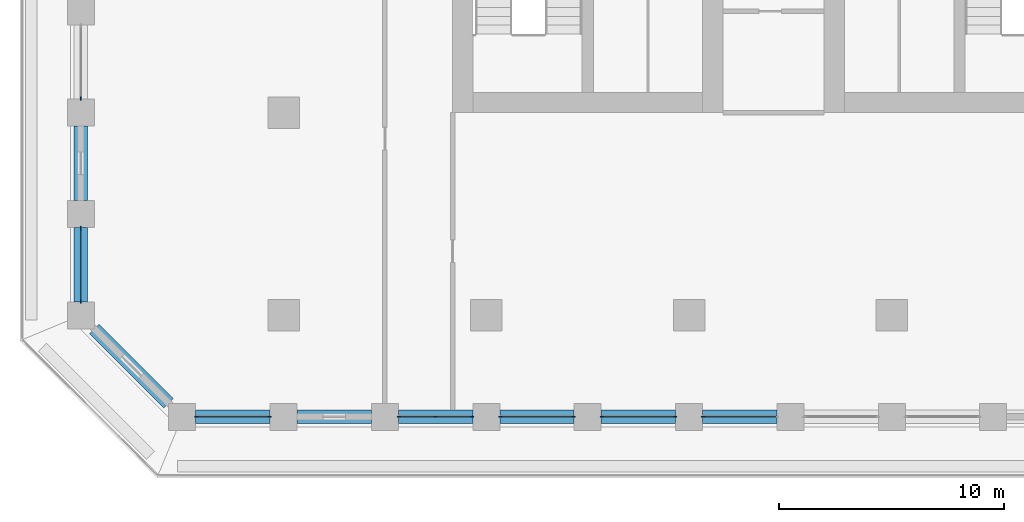
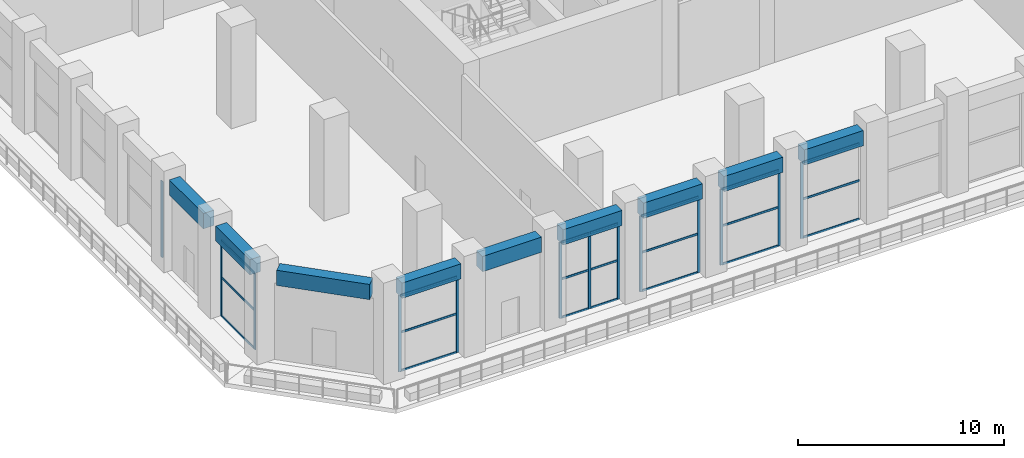
# One storey, part 2 of 24: 34 members, 9 beams, 7 elements without a shape of their own.
"""IFC4 building model written with IfcOpenShell, lengths in metres."""

from ifc_helpers import new_model, si_unit, direction, frame, origin, origin_2d, place, context, subcontext, project, spatial, rectangle, extrude, material, material_profile, profile_set, type_object, element, aggregate, save


model = new_model("IFC4")

# Units and contexts
model_context = context("Model", 3, precision=1e-05, world=origin(), true_north=direction((0.0, 1.0)))
body_context = subcontext(model_context, "Body", "Model", "MODEL_VIEW")
ifc_project = project(units=[si_unit("LENGTHUNIT", "METRE"), si_unit("AREAUNIT", "SQUARE_METRE"), si_unit("VOLUMEUNIT", "CUBIC_METRE"), si_unit("PLANEANGLEUNIT", "RADIAN"), si_unit("MASSUNIT", "GRAM", prefix="KILO")], contexts=[model_context])

# Site, building, storey
site_placement = place(None, origin())
site = spatial("IfcSite", under=ifc_project, at=site_placement, CompositionType="ELEMENT")
building_placement = place(site_placement, origin())
building = spatial("IfcBuilding", under=site, at=building_placement, Name="Corbel Stack Research Tower", CompositionType="ELEMENT")
storey_placement = place(building_placement, frame((0.0, 0.0, 145.39990234375)))
storey = spatial("IfcBuildingStorey", under=building, at=storey_placement, Name="L33", CompositionType="ELEMENT", Elevation=145.39990234375)

# Curtain wall, members
ifc_material_1 = material(Name="Aluminium frame, clear glass", Category="aluminium")
curtain_wall_type = type_object("IfcCurtainWallType", Name="Amenity floor curtain wall CW2", PredefinedType="NOTDEFINED", material=ifc_material_1)
curtain_wall_1_placement = place(storey_placement, origin())
curtain_wall_1 = element("IfcCurtainWall", 1, at=curtain_wall_1_placement, inside=storey, type_object=curtain_wall_type, Name="Curtain wall CW2 L33 S01", PredefinedType="NOTDEFINED")
ifc_material_2 = material(Name="Aluminium mullion", Category="aluminium")
ifc_material_profile_1 = material_profile(ifc_material_2, rectangle(XDim=0.06005859375, YDim=0.159912109375, at=origin_2d()), Name="Mullion 60 x 160")
ifc_profile_set_1 = profile_set([ifc_material_profile_1], Name="Aluminium mullion")
member_type_1 = type_object("IfcMemberType", Name="Curtain wall mullion 60 x 160", PredefinedType="MULLION", material=ifc_profile_set_1)
member_1_placement = place(storey_placement, frame((-21.8701171875, -22.5, 0.0), z_axis=(0.0, 0.0, 1.0), x_axis=(0.0, 1.0, 0.0)))
member_1 = element("IfcMember", 2, at=member_1_placement, type_object=member_type_1, Name="CW2 L33 S01 mullion 1", PredefinedType="MULLION", context=body_context, shape_type="SweptSolid", body=[
    extrude(rectangle(XDim=0.06005859375, YDim=0.159912109375, at=origin_2d()), origin(), (0.0, 0.0, 1.0), 4.5),
])
member_2_placement = place(storey_placement, frame((-18.6298828125, -22.5, 0.0), z_axis=(0.0, 0.0, 1.0), x_axis=(0.0, 1.0, 0.0)))
member_2 = element("IfcMember", 3, at=member_2_placement, type_object=member_type_1, Name="CW2 L33 S01 mullion 2", PredefinedType="MULLION", context=body_context, shape_type="SweptSolid", body=[
    extrude(rectangle(XDim=0.06005859375, YDim=0.159912109375, at=origin_2d()), origin(), (0.0, 0.0, 1.0), 4.5),
])

curtain_wall_2_placement = place(storey_placement, origin())
curtain_wall_2 = element("IfcCurtainWall", 4, at=curtain_wall_2_placement, inside=storey, type_object=curtain_wall_type, Name="Curtain wall CW2 L33 S03", PredefinedType="NOTDEFINED")
member_3_placement = place(storey_placement, frame((-12.8701171875, -22.5, 0.0), z_axis=(0.0, 0.0, 1.0), x_axis=(0.0, 1.0, 0.0)))
member_3 = element("IfcMember", 5, at=member_3_placement, type_object=member_type_1, Name="CW2 L33 S03 mullion 1", PredefinedType="MULLION", context=body_context, shape_type="SweptSolid", body=[
    extrude(rectangle(XDim=0.06005859375, YDim=0.159912109375, at=origin_2d()), origin(), (0.0, 0.0, 1.0), 4.5),
])
member_4_placement = place(storey_placement, frame((-11.25, -22.5, 0.0), z_axis=(0.0, 0.0, 1.0), x_axis=(0.0, 1.0, 0.0)))
member_4 = element("IfcMember", 6, at=member_4_placement, type_object=member_type_1, Name="CW2 L33 S03 mullion 2", PredefinedType="MULLION", context=body_context, shape_type="SweptSolid", body=[
    extrude(rectangle(XDim=0.06005859375, YDim=0.159912109375, at=origin_2d()), origin(), (0.0, 0.0, 1.0), 4.5),
])
member_5_placement = place(storey_placement, frame((-9.6298828125, -22.5, 0.0), z_axis=(0.0, 0.0, 1.0), x_axis=(0.0, 1.0, 0.0)))
member_5 = element("IfcMember", 7, at=member_5_placement, type_object=member_type_1, Name="CW2 L33 S03 mullion 3", PredefinedType="MULLION", context=body_context, shape_type="SweptSolid", body=[
    extrude(rectangle(XDim=0.06005859375, YDim=0.159912109375, at=origin_2d()), origin(), (0.0, 0.0, 1.0), 4.5),
])

curtain_wall_3_placement = place(storey_placement, origin())
curtain_wall_3 = element("IfcCurtainWall", 8, at=curtain_wall_3_placement, inside=storey, type_object=curtain_wall_type, Name="Curtain wall CW2 L33 S04", PredefinedType="NOTDEFINED")
member_6_placement = place(storey_placement, frame((-8.3701171875, -22.5, 0.0), z_axis=(0.0, 0.0, 1.0), x_axis=(0.0, 1.0, 0.0)))
member_6 = element("IfcMember", 9, at=member_6_placement, type_object=member_type_1, Name="CW2 L33 S04 mullion 1", PredefinedType="MULLION", context=body_context, shape_type="SweptSolid", body=[
    extrude(rectangle(XDim=0.06005859375, YDim=0.159912109375, at=origin_2d()), origin(), (0.0, 0.0, 1.0), 4.5),
])
member_7_placement = place(storey_placement, frame((-5.1298828125, -22.5, 0.0), z_axis=(0.0, 0.0, 1.0), x_axis=(0.0, 1.0, 0.0)))
member_7 = element("IfcMember", 10, at=member_7_placement, type_object=member_type_1, Name="CW2 L33 S04 mullion 2", PredefinedType="MULLION", context=body_context, shape_type="SweptSolid", body=[
    extrude(rectangle(XDim=0.06005859375, YDim=0.159912109375, at=origin_2d()), origin(), (0.0, 0.0, 1.0), 4.5),
])

curtain_wall_4_placement = place(storey_placement, origin())
curtain_wall_4 = element("IfcCurtainWall", 11, at=curtain_wall_4_placement, inside=storey, type_object=curtain_wall_type, Name="Curtain wall CW2 L33 S05", PredefinedType="NOTDEFINED")
member_8_placement = place(storey_placement, frame((-3.8701171875, -22.5, 0.0), z_axis=(0.0, 0.0, 1.0), x_axis=(0.0, 1.0, 0.0)))
member_8 = element("IfcMember", 12, at=member_8_placement, type_object=member_type_1, Name="CW2 L33 S05 mullion 1", PredefinedType="MULLION", context=body_context, shape_type="SweptSolid", body=[
    extrude(rectangle(XDim=0.06005859375, YDim=0.159912109375, at=origin_2d()), origin(), (0.0, 0.0, 1.0), 4.5),
])
member_9_placement = place(storey_placement, frame((-0.6298828125, -22.5, 0.0), z_axis=(0.0, 0.0, 1.0), x_axis=(0.0, 1.0, 0.0)))
member_9 = element("IfcMember", 13, at=member_9_placement, type_object=member_type_1, Name="CW2 L33 S05 mullion 2", PredefinedType="MULLION", context=body_context, shape_type="SweptSolid", body=[
    extrude(rectangle(XDim=0.06005859375, YDim=0.159912109375, at=origin_2d()), origin(), (0.0, 0.0, 1.0), 4.5),
])

# Curtain wall, member
curtain_wall_5_placement = place(storey_placement, origin())
curtain_wall_5 = element("IfcCurtainWall", 14, at=curtain_wall_5_placement, inside=storey, type_object=curtain_wall_type, Name="Curtain wall CW2 L33 S06", PredefinedType="NOTDEFINED")
member_10_placement = place(storey_placement, frame((0.6298828125, -22.5, 0.0), z_axis=(0.0, 0.0, 1.0), x_axis=(0.0, 1.0, 0.0)))
member_10 = element("IfcMember", 15, at=member_10_placement, type_object=member_type_1, Name="CW2 L33 S06 mullion 1", PredefinedType="MULLION", context=body_context, shape_type="SweptSolid", body=[
    extrude(rectangle(XDim=0.06005859375, YDim=0.159912109375, at=origin_2d()), origin(), (0.0, 0.0, 1.0), 4.5),
])

curtain_wall_6_placement = place(storey_placement, origin())
curtain_wall_6 = element("IfcCurtainWall", 16, at=curtain_wall_6_placement, inside=storey, type_object=curtain_wall_type, Name="Curtain wall CW2 L33 W08", PredefinedType="NOTDEFINED")
member_11_placement = place(storey_placement, frame((-27.0, -8.3701171875, 0.0), z_axis=(0.0, 0.0, 1.0), x_axis=(1.0, 0.0, 0.0)))
member_11 = element("IfcMember", 17, at=member_11_placement, type_object=member_type_1, Name="CW2 L33 W08 mullion 2", PredefinedType="MULLION", context=body_context, shape_type="SweptSolid", body=[
    extrude(rectangle(XDim=0.06005859375, YDim=0.159912109375, at=origin_2d()), origin(), (0.0, 0.0, 1.0), 4.5),
])
aggregate(curtain_wall_6, [member_11])

# Curtain wall, members
curtain_wall_7_placement = place(storey_placement, origin())
curtain_wall_7 = element("IfcCurtainWall", 18, at=curtain_wall_7_placement, inside=storey, type_object=curtain_wall_type, Name="Curtain wall CW2 L33 W10", PredefinedType="NOTDEFINED")
member_12_placement = place(storey_placement, frame((-27.0, -14.1298828125, 0.0), z_axis=(0.0, 0.0, 1.0), x_axis=(1.0, 0.0, 0.0)))
member_12 = element("IfcMember", 19, at=member_12_placement, type_object=member_type_1, Name="CW2 L33 W10 mullion 1", PredefinedType="MULLION", context=body_context, shape_type="SweptSolid", body=[
    extrude(rectangle(XDim=0.06005859375, YDim=0.159912109375, at=origin_2d()), origin(), (0.0, 0.0, 1.0), 4.5),
])
member_13_placement = place(storey_placement, frame((-27.0, -17.3701171875, 0.0), z_axis=(0.0, 0.0, 1.0), x_axis=(1.0, 0.0, 0.0)))
member_13 = element("IfcMember", 20, at=member_13_placement, type_object=member_type_1, Name="CW2 L33 W10 mullion 2", PredefinedType="MULLION", context=body_context, shape_type="SweptSolid", body=[
    extrude(rectangle(XDim=0.06005859375, YDim=0.159912109375, at=origin_2d()), origin(), (0.0, 0.0, 1.0), 4.5),
])

# Member
ifc_material_3 = material(Name="Aluminium transom", Category="aluminium")
ifc_material_profile_2 = material_profile(ifc_material_3, rectangle(XDim=0.06005859375, YDim=0.1201171875, at=origin_2d()), Name="Transom 60 x 120")
ifc_profile_set_2 = profile_set([ifc_material_profile_2], Name="Aluminium transom")
member_type_2 = type_object("IfcMemberType", Name="Curtain wall transom 60 x 120", PredefinedType="USERDEFINED", material=ifc_profile_set_2)
member_14_placement = place(storey_placement, frame((-21.840087890625, -22.5, 0.030029296875), z_axis=(1.0, 0.0, 0.0), x_axis=(0.0, 1.0, 0.0)))
member_14 = element("IfcMember", 21, at=member_14_placement, type_object=member_type_2, Name="CW2 L33 S01 transom 1.1", ObjectType="TRANSOM", PredefinedType="USERDEFINED", context=body_context, shape_type="SweptSolid", body=[
    extrude(rectangle(XDim=0.06005859375, YDim=0.1201171875, at=origin_2d()), origin(), (0.0, 0.0, 1.0), 3.18017578125),
])

member_15_placement = place(storey_placement, frame((-21.840087890625, -22.5, 2.300048828125), z_axis=(1.0, 0.0, 0.0), x_axis=(0.0, 1.0, 0.0)))
member_15 = element("IfcMember", 22, at=member_15_placement, type_object=member_type_2, Name="CW2 L33 S01 transom 1.2", ObjectType="TRANSOM", PredefinedType="USERDEFINED", context=body_context, shape_type="SweptSolid", body=[
    extrude(rectangle(XDim=0.06005859375, YDim=0.1201171875, at=origin_2d()), origin(), (0.0, 0.0, 1.0), 3.18017578125),
])

member_16_placement = place(storey_placement, frame((-21.840087890625, -22.5, 4.47021484375), z_axis=(1.0, 0.0, 0.0), x_axis=(0.0, 1.0, 0.0)))
member_16 = element("IfcMember", 23, at=member_16_placement, type_object=member_type_2, Name="CW2 L33 S01 transom 1.3", ObjectType="TRANSOM", PredefinedType="USERDEFINED", context=body_context, shape_type="SweptSolid", body=[
    extrude(rectangle(XDim=0.06005859375, YDim=0.1201171875, at=origin_2d()), origin(), (0.0, 0.0, 1.0), 3.18017578125),
])

aggregate(curtain_wall_1, [member_1, member_2, member_14, member_15, member_16])

member_17_placement = place(storey_placement, frame((-12.840087890625, -22.5, 0.030029296875), z_axis=(1.0, 0.0, 0.0), x_axis=(0.0, 1.0, 0.0)))
member_17 = element("IfcMember", 24, at=member_17_placement, type_object=member_type_2, Name="CW2 L33 S03 transom 1.1", ObjectType="TRANSOM", PredefinedType="USERDEFINED", context=body_context, shape_type="SweptSolid", body=[
    extrude(rectangle(XDim=0.06005859375, YDim=0.1201171875, at=origin_2d()), origin(), (0.0, 0.0, 1.0), 1.56005859375),
])

member_18_placement = place(storey_placement, frame((-12.840087890625, -22.5, 2.300048828125), z_axis=(1.0, 0.0, 0.0), x_axis=(0.0, 1.0, 0.0)))
member_18 = element("IfcMember", 25, at=member_18_placement, type_object=member_type_2, Name="CW2 L33 S03 transom 1.2", ObjectType="TRANSOM", PredefinedType="USERDEFINED", context=body_context, shape_type="SweptSolid", body=[
    extrude(rectangle(XDim=0.06005859375, YDim=0.1201171875, at=origin_2d()), origin(), (0.0, 0.0, 1.0), 1.56005859375),
])

member_19_placement = place(storey_placement, frame((-12.840087890625, -22.5, 4.47021484375), z_axis=(1.0, 0.0, 0.0), x_axis=(0.0, 1.0, 0.0)))
member_19 = element("IfcMember", 26, at=member_19_placement, type_object=member_type_2, Name="CW2 L33 S03 transom 1.3", ObjectType="TRANSOM", PredefinedType="USERDEFINED", context=body_context, shape_type="SweptSolid", body=[
    extrude(rectangle(XDim=0.06005859375, YDim=0.1201171875, at=origin_2d()), origin(), (0.0, 0.0, 1.0), 1.56005859375),
])

member_20_placement = place(storey_placement, frame((-11.219970703125, -22.5, 0.030029296875), z_axis=(1.0, 0.0, 0.0), x_axis=(0.0, 1.0, 0.0)))
member_20 = element("IfcMember", 27, at=member_20_placement, type_object=member_type_2, Name="CW2 L33 S03 transom 2.1", ObjectType="TRANSOM", PredefinedType="USERDEFINED", context=body_context, shape_type="SweptSolid", body=[
    extrude(rectangle(XDim=0.06005859375, YDim=0.1201171875, at=origin_2d()), origin(), (0.0, 0.0, 1.0), 1.56005859375),
])

member_21_placement = place(storey_placement, frame((-11.219970703125, -22.5, 2.300048828125), z_axis=(1.0, 0.0, 0.0), x_axis=(0.0, 1.0, 0.0)))
member_21 = element("IfcMember", 28, at=member_21_placement, type_object=member_type_2, Name="CW2 L33 S03 transom 2.2", ObjectType="TRANSOM", PredefinedType="USERDEFINED", context=body_context, shape_type="SweptSolid", body=[
    extrude(rectangle(XDim=0.06005859375, YDim=0.1201171875, at=origin_2d()), origin(), (0.0, 0.0, 1.0), 1.56005859375),
])

member_22_placement = place(storey_placement, frame((-11.219970703125, -22.5, 4.47021484375), z_axis=(1.0, 0.0, 0.0), x_axis=(0.0, 1.0, 0.0)))
member_22 = element("IfcMember", 29, at=member_22_placement, type_object=member_type_2, Name="CW2 L33 S03 transom 2.3", ObjectType="TRANSOM", PredefinedType="USERDEFINED", context=body_context, shape_type="SweptSolid", body=[
    extrude(rectangle(XDim=0.06005859375, YDim=0.1201171875, at=origin_2d()), origin(), (0.0, 0.0, 1.0), 1.56005859375),
])

aggregate(curtain_wall_2, [member_3, member_4, member_5, member_17, member_18, member_19, member_20, member_21, member_22])

member_23_placement = place(storey_placement, frame((-8.340087890625, -22.5, 0.030029296875), z_axis=(1.0, 0.0, 0.0), x_axis=(0.0, 1.0, 0.0)))
member_23 = element("IfcMember", 30, at=member_23_placement, type_object=member_type_2, Name="CW2 L33 S04 transom 1.1", ObjectType="TRANSOM", PredefinedType="USERDEFINED", context=body_context, shape_type="SweptSolid", body=[
    extrude(rectangle(XDim=0.06005859375, YDim=0.1201171875, at=origin_2d()), origin(), (0.0, 0.0, 1.0), 3.18017578125),
])

member_24_placement = place(storey_placement, frame((-8.340087890625, -22.5, 2.300048828125), z_axis=(1.0, 0.0, 0.0), x_axis=(0.0, 1.0, 0.0)))
member_24 = element("IfcMember", 31, at=member_24_placement, type_object=member_type_2, Name="CW2 L33 S04 transom 1.2", ObjectType="TRANSOM", PredefinedType="USERDEFINED", context=body_context, shape_type="SweptSolid", body=[
    extrude(rectangle(XDim=0.06005859375, YDim=0.1201171875, at=origin_2d()), origin(), (0.0, 0.0, 1.0), 3.18017578125),
])

member_25_placement = place(storey_placement, frame((-8.340087890625, -22.5, 4.47021484375), z_axis=(1.0, 0.0, 0.0), x_axis=(0.0, 1.0, 0.0)))
member_25 = element("IfcMember", 32, at=member_25_placement, type_object=member_type_2, Name="CW2 L33 S04 transom 1.3", ObjectType="TRANSOM", PredefinedType="USERDEFINED", context=body_context, shape_type="SweptSolid", body=[
    extrude(rectangle(XDim=0.06005859375, YDim=0.1201171875, at=origin_2d()), origin(), (0.0, 0.0, 1.0), 3.18017578125),
])

aggregate(curtain_wall_3, [member_6, member_7, member_23, member_24, member_25])

member_26_placement = place(storey_placement, frame((-3.840087890625, -22.5, 0.030029296875), z_axis=(1.0, 0.0, 0.0), x_axis=(0.0, 1.0, 0.0)))
member_26 = element("IfcMember", 33, at=member_26_placement, type_object=member_type_2, Name="CW2 L33 S05 transom 1.1", ObjectType="TRANSOM", PredefinedType="USERDEFINED", context=body_context, shape_type="SweptSolid", body=[
    extrude(rectangle(XDim=0.06005859375, YDim=0.1201171875, at=origin_2d()), origin(), (0.0, 0.0, 1.0), 3.18017578125),
])

member_27_placement = place(storey_placement, frame((-3.840087890625, -22.5, 2.300048828125), z_axis=(1.0, 0.0, 0.0), x_axis=(0.0, 1.0, 0.0)))
member_27 = element("IfcMember", 34, at=member_27_placement, type_object=member_type_2, Name="CW2 L33 S05 transom 1.2", ObjectType="TRANSOM", PredefinedType="USERDEFINED", context=body_context, shape_type="SweptSolid", body=[
    extrude(rectangle(XDim=0.06005859375, YDim=0.1201171875, at=origin_2d()), origin(), (0.0, 0.0, 1.0), 3.18017578125),
])

member_28_placement = place(storey_placement, frame((-3.840087890625, -22.5, 4.47021484375), z_axis=(1.0, 0.0, 0.0), x_axis=(0.0, 1.0, 0.0)))
member_28 = element("IfcMember", 35, at=member_28_placement, type_object=member_type_2, Name="CW2 L33 S05 transom 1.3", ObjectType="TRANSOM", PredefinedType="USERDEFINED", context=body_context, shape_type="SweptSolid", body=[
    extrude(rectangle(XDim=0.06005859375, YDim=0.1201171875, at=origin_2d()), origin(), (0.0, 0.0, 1.0), 3.18017578125),
])

aggregate(curtain_wall_4, [member_8, member_9, member_26, member_27, member_28])

member_29_placement = place(storey_placement, frame((0.659912109375, -22.5, 0.030029296875), z_axis=(1.0, 0.0, 0.0), x_axis=(0.0, 1.0, 0.0)))
member_29 = element("IfcMember", 36, at=member_29_placement, type_object=member_type_2, Name="CW2 L33 S06 transom 1.1", ObjectType="TRANSOM", PredefinedType="USERDEFINED", context=body_context, shape_type="SweptSolid", body=[
    extrude(rectangle(XDim=0.06005859375, YDim=0.1201171875, at=origin_2d()), origin(), (0.0, 0.0, 1.0), 3.18017578125),
])

member_30_placement = place(storey_placement, frame((0.659912109375, -22.5, 2.300048828125), z_axis=(1.0, 0.0, 0.0), x_axis=(0.0, 1.0, 0.0)))
member_30 = element("IfcMember", 37, at=member_30_placement, type_object=member_type_2, Name="CW2 L33 S06 transom 1.2", ObjectType="TRANSOM", PredefinedType="USERDEFINED", context=body_context, shape_type="SweptSolid", body=[
    extrude(rectangle(XDim=0.06005859375, YDim=0.1201171875, at=origin_2d()), origin(), (0.0, 0.0, 1.0), 3.18017578125),
])

member_31_placement = place(storey_placement, frame((0.659912109375, -22.5, 4.47021484375), z_axis=(1.0, 0.0, 0.0), x_axis=(0.0, 1.0, 0.0)))
member_31 = element("IfcMember", 38, at=member_31_placement, type_object=member_type_2, Name="CW2 L33 S06 transom 1.3", ObjectType="TRANSOM", PredefinedType="USERDEFINED", context=body_context, shape_type="SweptSolid", body=[
    extrude(rectangle(XDim=0.06005859375, YDim=0.1201171875, at=origin_2d()), origin(), (0.0, 0.0, 1.0), 3.18017578125),
])

aggregate(curtain_wall_5, [member_10, member_29, member_30, member_31])

member_32_placement = place(storey_placement, frame((-27.0, -14.159912109375, 0.030029296875), z_axis=(0.0, -1.0, 0.0), x_axis=(1.0, 0.0, 0.0)))
member_32 = element("IfcMember", 39, at=member_32_placement, type_object=member_type_2, Name="CW2 L33 W10 transom 1.1", ObjectType="TRANSOM", PredefinedType="USERDEFINED", context=body_context, shape_type="SweptSolid", body=[
    extrude(rectangle(XDim=0.06005859375, YDim=0.1201171875, at=origin_2d()), origin(), (0.0, 0.0, 1.0), 3.18017578125),
])

member_33_placement = place(storey_placement, frame((-27.0, -14.159912109375, 2.300048828125), z_axis=(0.0, -1.0, 0.0), x_axis=(1.0, 0.0, 0.0)))
member_33 = element("IfcMember", 40, at=member_33_placement, type_object=member_type_2, Name="CW2 L33 W10 transom 1.2", ObjectType="TRANSOM", PredefinedType="USERDEFINED", context=body_context, shape_type="SweptSolid", body=[
    extrude(rectangle(XDim=0.06005859375, YDim=0.1201171875, at=origin_2d()), origin(), (0.0, 0.0, 1.0), 3.18017578125),
])

member_34_placement = place(storey_placement, frame((-27.0, -14.159912109375, 4.47021484375), z_axis=(0.0, -1.0, 0.0), x_axis=(1.0, 0.0, 0.0)))
member_34 = element("IfcMember", 41, at=member_34_placement, type_object=member_type_2, Name="CW2 L33 W10 transom 1.3", ObjectType="TRANSOM", PredefinedType="USERDEFINED", context=body_context, shape_type="SweptSolid", body=[
    extrude(rectangle(XDim=0.06005859375, YDim=0.1201171875, at=origin_2d()), origin(), (0.0, 0.0, 1.0), 3.18017578125),
])

aggregate(curtain_wall_7, [member_12, member_13, member_32, member_33, member_34])

# Beams
ifc_material_4 = material(Name="Concrete C60/75", Category="concrete")
ifc_material_profile_3 = material_profile(ifc_material_4, rectangle(XDim=0.60009765625, YDim=0.89990234375, at=origin_2d()), Name="RC 600 x 900")
ifc_profile_set_3 = profile_set([ifc_material_profile_3], Name="Concrete C60/75")
beam_type = type_object("IfcBeamType", Name="SB-600-900-600", PredefinedType="SPANDREL", material=ifc_profile_set_3)
for number, where, z_axis, x_axis, name in (
    (42, (-21.89990234375, -22.5, 4.9501953125), (1.0, 0.0, 0.0), (0.0, 1.0, 0.0), "Spandrel beam L33-01"),
    (43, (-17.39990234375, -22.5, 4.9501953125), (1.0, 0.0, 0.0), (0.0, 1.0, 0.0), "Spandrel beam L33-02"),
    (44, (-12.89990234375, -22.5, 4.9501953125), (1.0, 0.0, 0.0), (0.0, 1.0, 0.0), "Spandrel beam L33-03"),
    (45, (-8.39990234375, -22.5, 4.9501953125), (1.0, 0.0, 0.0), (0.0, 1.0, 0.0), "Spandrel beam L33-04"),
    (46, (-3.89990234375, -22.5, 4.9501953125), (1.0, 0.0, 0.0), (0.0, 1.0, 0.0), "Spandrel beam L33-05"),
    (47, (0.60009765625, -22.5, 4.9501953125), (1.0, 0.0, 0.0), (0.0, 1.0, 0.0), "Spandrel beam L33-06"),
    (48, (-27.0, -9.60009765625, 4.9501953125), (0.0, -1.0, 0.0), (1.0, 0.0, 0.0), "Spandrel beam L33-42"),
    (49, (-27.0, -14.10009765625, 4.9501953125), (0.0, -1.0, 0.0), (1.0, 0.0, 0.0), "Spandrel beam L33-43"),
):
    element("IfcBeam", number, at=place(storey_placement, frame(where, z_axis=z_axis, x_axis=x_axis)), inside=storey, type_object=beam_type, Name=name, PredefinedType="SPANDREL", context=body_context, shape_type="SweptSolid", body=[
        extrude(rectangle(XDim=0.60009765625, YDim=0.89990234375, at=origin_2d()), origin(), (0.0, 0.0, 1.0), 3.2998046875),
    ])
beam_placement = place(storey_placement, frame((-26.39990234375, -18.60009765625, 4.9501953125), z_axis=(0.707106781187, -0.707106781187, 0.0), x_axis=(0.707106781187, 0.707106781187, 0.0)))
element("IfcBeam", 50, at=beam_placement, inside=storey, type_object=beam_type, Name="Spandrel beam L33-44", PredefinedType="SPANDREL", context=body_context, shape_type="SweptSolid", body=[
    extrude(rectangle(XDim=0.60009765625, YDim=0.89990234375, at=origin_2d()), origin(), (0.0, 0.0, 1.0), 4.666748046875),
])

save(model, "model.ifc")
